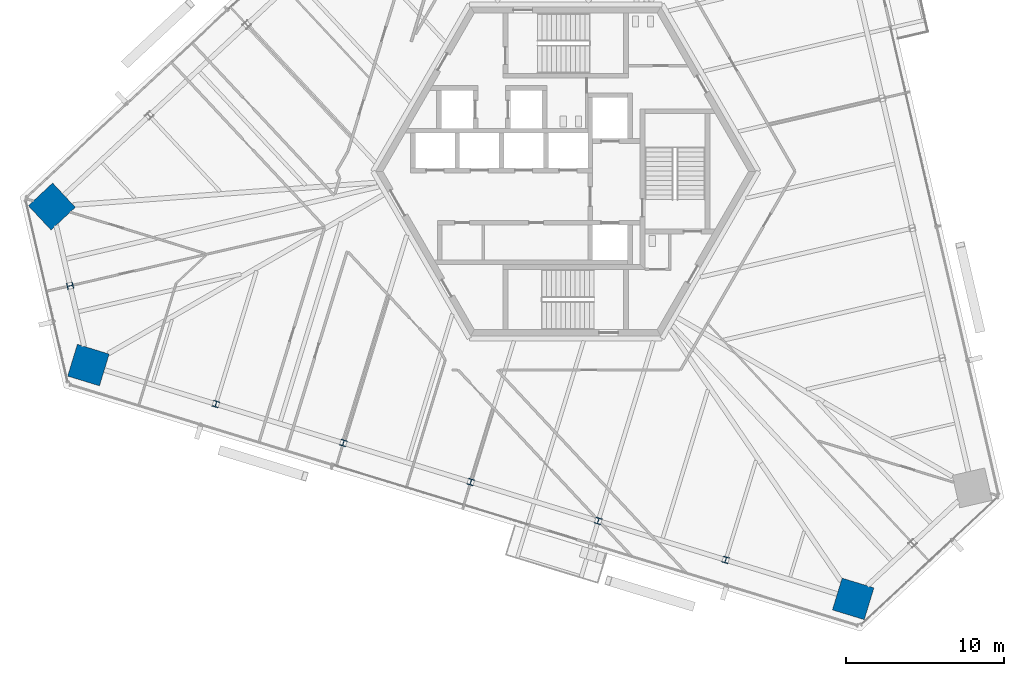
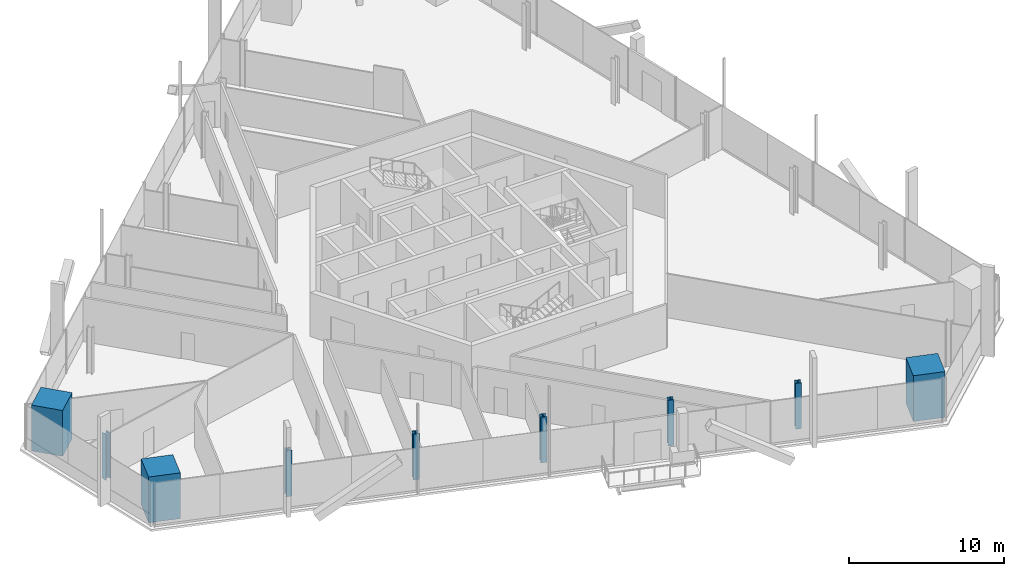
# One storey, part 1 of 23: 9 columns.
"""IFC4 building model written with IfcOpenShell, lengths in metres."""

from ifc_helpers import new_model, si_unit, direction, frame, origin, origin_2d, place, context, subcontext, project, spatial, rectangle, i_section, extrude, source, transform, mapped, material, material_profile, profile_set, type_object, element, save


model = new_model("IFC4")

# Units and contexts
model_context = context("Model", 3, precision=1e-05, world=origin(), true_north=direction((0.0, 1.0)))
body_context = subcontext(model_context, "Body", "Model", "MODEL_VIEW")
ifc_project = project(units=[si_unit("LENGTHUNIT", "METRE"), si_unit("AREAUNIT", "SQUARE_METRE"), si_unit("VOLUMEUNIT", "CUBIC_METRE"), si_unit("PLANEANGLEUNIT", "RADIAN"), si_unit("MASSUNIT", "GRAM", prefix="KILO")], contexts=[model_context])

# Site, building, storey
site_placement = place(None, origin())
site = spatial("IfcSite", under=ifc_project, at=site_placement, CompositionType="ELEMENT")
building_placement = place(site_placement, origin())
building = spatial("IfcBuilding", under=site, at=building_placement, Name="Triune Harvest Tower", CompositionType="ELEMENT")
storey_placement = place(building_placement, frame((0.0, 0.0, 105.5)))
storey = spatial("IfcBuildingStorey", under=building, at=storey_placement, Name="L26", CompositionType="ELEMENT", Elevation=105.5)

# Columns
ifc_material_1 = material(Name="Concrete 70 MPa", Category="concrete")
ifc_material_profile_1 = material_profile(ifc_material_1, rectangle(XDim=2.10009765625, YDim=2.10009765625, at=origin_2d()), Name="Composite 2100x2100")
ifc_profile_set_1 = profile_set([ifc_material_profile_1], Name="Concrete 70 MPa")
column_type_1 = type_object("IfcColumnType", Name="MC-3 Mega column Composite 2100x2100", PredefinedType="COLUMN", material=ifc_profile_set_1)
shared_shape_1 = source(origin(), body_context, "Body", "SweptSolid", [
    extrude(rectangle(XDim=2.10009765625, YDim=2.10009765625, at=origin_2d()), origin(), (0.0, 0.0, 1.0), 3.60009765625),
])
for number, where, z_axis, x_axis, name in (
    (1, (-32.446533203125, -2.218994140625, 0.0), (0.0, 0.0, 1.0), (-0.73135489193, -0.681997083608, 0.0), "col/L26/M14"),
    (2, (-30.135498046875, -12.22900390625, 0.0), (0.0, 0.0, 1.0), (0.956304755963, -0.292371704723, 0.0), "col/L26/M16"),
    (3, (18.14501953125, -26.989990234375, 0.0), (0.0, 0.0, 1.0), (0.956304755963, -0.292371704723, 0.0), "col/L26/M22"),
):
    element("IfcColumn", number, at=place(storey_placement, frame(where, z_axis=z_axis, x_axis=x_axis)), inside=storey, type_object=column_type_1, Name=name, PredefinedType="COLUMN", context=body_context, shape_type="MappedRepresentation", body=[
        mapped(shared_shape_1, transform((0.0, 0.0, 0.0), scale=1.0)),
    ])
ifc_material_2 = material(Name="Steel ASTM A992 Gr 50", Category="steel")
ifc_material_profile_2 = material_profile(ifc_material_2, i_section(OverallWidth=0.396240234375, OverallDepth=0.381103515625, WebThickness=0.01904296875, FlangeThickness=0.0302734375, at=origin_2d()), Name="W14x159")
ifc_profile_set_2 = profile_set([ifc_material_profile_2], Name="Steel ASTM A992 Gr 50")
column_type_2 = type_object("IfcColumnType", Name="PC-3 Perimeter column W14x159", PredefinedType="COLUMN", material=ifc_profile_set_2)
shared_shape_2 = source(origin(), body_context, "Body", "SweptSolid", [
    extrude(i_section(OverallWidth=0.396240234375, OverallDepth=0.381103515625, WebThickness=0.01904296875, FlangeThickness=0.0302734375, at=origin_2d()), origin(), (0.0, 0.0, 1.0), 3.60009765625),
])
for number, where, z_axis, x_axis, name in (
    (4, (-31.291015625, -7.22412109375, 0.0), (0.0, 0.0, 1.0), (0.224951054344, -0.974370064785, 0.0), "col/L26/P15"),
    (5, (-22.0888671875, -14.689208984375, 0.0), (0.0, 0.0, 1.0), (0.956304755963, -0.292371704723, 0.0), "col/L26/P17"),
    (6, (-14.0419921875, -17.1494140625, 0.0), (0.0, 0.0, 1.0), (0.956304755963, -0.292371704723, 0.0), "col/L26/P18"),
    (7, (-5.995361328125, -19.609619140625, 0.0), (0.0, 0.0, 1.0), (0.956304755963, -0.292371704723, 0.0), "col/L26/P19"),
    (8, (2.051513671875, -22.069580078125, 0.0), (0.0, 0.0, 1.0), (0.956304755963, -0.292371704723, 0.0), "col/L26/P20"),
    (9, (10.098388671875, -24.52978515625, 0.0), (0.0, 0.0, 1.0), (0.956304755963, -0.292371704723, 0.0), "col/L26/P21"),
):
    element("IfcColumn", number, at=place(storey_placement, frame(where, z_axis=z_axis, x_axis=x_axis)), inside=storey, type_object=column_type_2, Name=name, PredefinedType="COLUMN", context=body_context, shape_type="MappedRepresentation", body=[
        mapped(shared_shape_2, transform((0.0, 0.0, 0.0), scale=1.0)),
    ])

save(model, "model.ifc")
